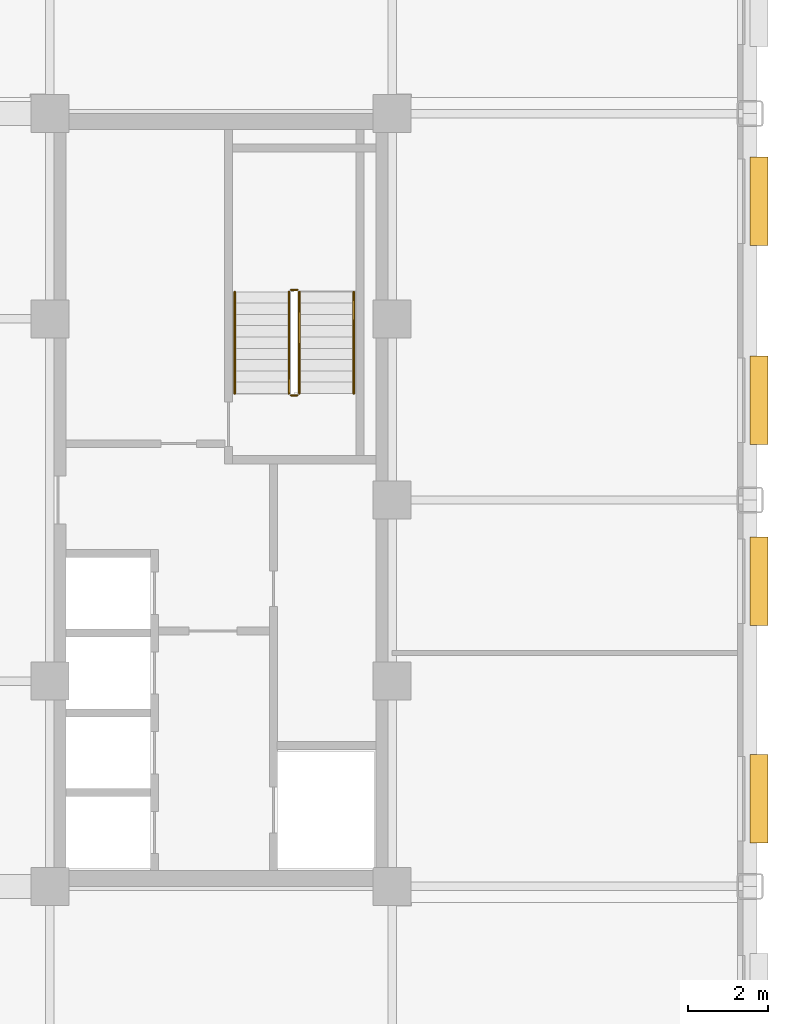
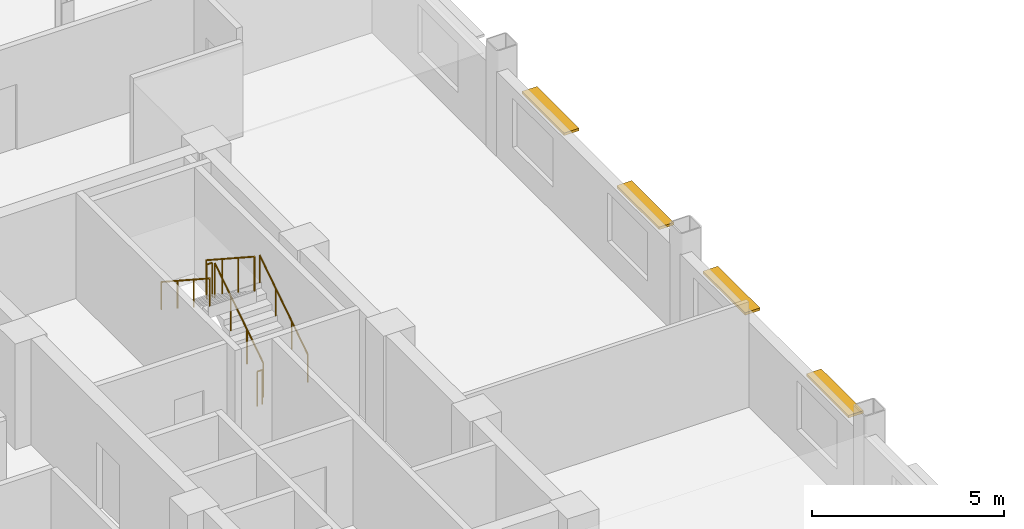
# One storey, part 13 of 14: 6 railings, 4 shading devices.
"""IFC4 building model written with IfcOpenShell, lengths in metres."""

from ifc_helpers import new_model, si_unit, direction, frame, origin, origin_2d, place, context, subcontext, project, spatial, rectangle, circle, extrude, source, transform, mapped, material, type_object, type_shapes, element, save


model = new_model("IFC4")

# Units and contexts
model_context = context("Model", 3, precision=1e-05, world=origin(), true_north=direction((0.0, 1.0)))
body_context = subcontext(model_context, "Body", "Model", "MODEL_VIEW")
ifc_project = project(units=[si_unit("LENGTHUNIT", "METRE"), si_unit("AREAUNIT", "SQUARE_METRE"), si_unit("VOLUMEUNIT", "CUBIC_METRE"), si_unit("PLANEANGLEUNIT", "RADIAN"), si_unit("MASSUNIT", "GRAM", prefix="KILO")], contexts=[model_context])

# Site, building, storey
site_placement = place(None, origin())
site = spatial("IfcSite", under=ifc_project, at=site_placement, CompositionType="ELEMENT")
building_placement = place(site_placement, origin())
building = spatial("IfcBuilding", under=site, at=building_placement, Name="Nuvemarco Arch Tower", CompositionType="ELEMENT")
storey_placement = place(building_placement, frame((0.0, 0.0, 134.800048828125)))
storey = spatial("IfcBuildingStorey", under=building, at=storey_placement, Name="L35", CompositionType="ELEMENT", Elevation=134.800048828125)

# Railings
ifc_material_1 = material(Name="Brushed stainless steel handrail", Category="steel")
railing_type_1 = type_object("IfcRailingType", Name="RL-HANDRAIL-900", PredefinedType="HANDRAIL", material=ifc_material_1)
railing_1_placement = place(storey_placement, frame((16.550048828125, 2.64990234375, 0.182373046875)))
element("IfcRailing", 1, at=railing_1_placement, inside=storey, type_object=railing_type_1, Name="L35 ST-2 stair handrail 1", PredefinedType="HANDRAIL", context=body_context, shape_type="SweptSolid", body=[
    extrude(circle(Radius=0.02392578125, at=origin_2d()), frame((0.0, 0.0, 0.8759765625), z_axis=(0.0, 0.837749427056, 0.546054848405), x_axis=(-1.0, 0.0, 0.0)), (0.0, 0.0, 1.0), 3.008056640625),
    extrude(circle(Radius=0.02099609375, at=origin_2d()), origin(), (0.0, 0.0, 1.0), 0.851806640625),
    extrude(circle(Radius=0.02099609375, at=origin_2d()), frame((0.0, 0.840087890625, 0.547607421875)), (0.0, 0.0, 1.0), 0.851806640625),
    extrude(circle(Radius=0.02099609375, at=origin_2d()), frame((0.0, 1.679931640625, 1.094970703125)), (0.0, 0.0, 1.0), 0.851806640625),
    extrude(circle(Radius=0.02099609375, at=origin_2d()), frame((0.0, 2.52001953125, 1.642578125)), (0.0, 0.0, 1.0), 0.851806640625),
])
railing_2_placement = place(storey_placement, frame((13.590087890625, 5.169921875, 2.007568359375)))
element("IfcRailing", 2, at=railing_2_placement, inside=storey, type_object=railing_type_1, Name="L35 ST-2 stair handrail 2", PredefinedType="HANDRAIL", context=body_context, shape_type="SweptSolid", body=[
    extrude(circle(Radius=0.02392578125, at=origin_2d()), frame((0.0, 0.0, 0.8759765625), z_axis=(0.0, -0.837786554691, 0.545997883492), x_axis=(1.0, 0.0, 0.0)), (0.0, 0.0, 1.0), 3.008056640625),
    extrude(circle(Radius=0.02099609375, at=origin_2d()), origin(), (0.0, 0.0, 1.0), 0.851806640625),
    extrude(circle(Radius=0.02099609375, at=origin_2d()), frame((0.0, -0.840087890625, 0.54736328125)), (0.0, 0.0, 1.0), 0.851806640625),
    extrude(circle(Radius=0.02099609375, at=origin_2d()), frame((0.0, -1.679931640625, 1.094970703125)), (0.0, 0.0, 1.0), 0.851806640625),
    extrude(circle(Radius=0.02099609375, at=origin_2d()), frame((0.0, -2.52001953125, 1.642333984375)), (0.0, 0.0, 1.0), 0.851806640625),
])
ifc_material_2 = material(Name="Painted balustrade steel S355", Category="steel")
railing_type_2 = type_object("IfcRailingType", Name="RL-STAIR-GUARD", PredefinedType="GUARDRAIL", material=ifc_material_2)
railing_3_placement = place(storey_placement, frame((15.199951171875, 2.64990234375, 0.182373046875)))
element("IfcRailing", 3, at=railing_3_placement, inside=storey, type_object=railing_type_2, Name="L35 ST-2 stair guard 1", PredefinedType="GUARDRAIL", context=body_context, shape_type="SweptSolid", body=[
    extrude(circle(Radius=0.02392578125, at=origin_2d()), frame((0.0, 0.0, 1.09619140625), z_axis=(0.0, 0.837749427056, 0.546054848405), x_axis=(-1.0, 0.0, 0.0)), (0.0, 0.0, 1.0), 3.008056640625),
    extrude(circle(Radius=0.02099609375, at=origin_2d()), origin(), (0.0, 0.0, 1.0), 1.072021484375),
    extrude(circle(Radius=0.02099609375, at=origin_2d()), frame((0.0, 0.840087890625, 0.547607421875)), (0.0, 0.0, 1.0), 1.072021484375),
    extrude(circle(Radius=0.02099609375, at=origin_2d()), frame((0.0, 1.679931640625, 1.094970703125)), (0.0, 0.0, 1.0), 1.072021484375),
    extrude(circle(Radius=0.02099609375, at=origin_2d()), frame((0.0, 2.52001953125, 1.642578125)), (0.0, 0.0, 1.0), 1.072021484375),
])
railing_4_placement = place(storey_placement, frame((15.14990234375, 5.219970703125, 1.824951171875)))
element("IfcRailing", 4, at=railing_4_placement, inside=storey, type_object=railing_type_2, Name="L35 ST-2 stair guard 2", PredefinedType="GUARDRAIL", context=body_context, shape_type="SweptSolid", body=[
    extrude(circle(Radius=0.02392578125, at=origin_2d()), frame((0.0, 0.0, 1.09619140625), z_axis=(-1.0, 0.0, 0.0), x_axis=(0.0, -1.0, 0.0)), (0.0, 0.0, 1.0), 0.159912109375),
    extrude(circle(Radius=0.02099609375, at=origin_2d()), origin(), (0.0, 0.0, 1.0), 1.072021484375),
    extrude(circle(Radius=0.02099609375, at=origin_2d()), frame((-0.159912109375, 0.0, 0.0)), (0.0, 0.0, 1.0), 1.072021484375),
])
railing_5_placement = place(storey_placement, frame((14.93994140625, 5.169921875, 2.007568359375)))
element("IfcRailing", 5, at=railing_5_placement, inside=storey, type_object=railing_type_2, Name="L35 ST-2 stair guard 3", PredefinedType="GUARDRAIL", context=body_context, shape_type="SweptSolid", body=[
    extrude(circle(Radius=0.02392578125, at=origin_2d()), frame((0.0, 0.0, 1.09619140625), z_axis=(0.0, -0.837786554691, 0.545997883492), x_axis=(1.0, 0.0, 0.0)), (0.0, 0.0, 1.0), 3.008056640625),
    extrude(circle(Radius=0.02099609375, at=origin_2d()), origin(), (0.0, 0.0, 1.0), 1.072021484375),
    extrude(circle(Radius=0.02099609375, at=origin_2d()), frame((0.0, -0.840087890625, 0.54736328125)), (0.0, 0.0, 1.0), 1.072021484375),
    extrude(circle(Radius=0.02099609375, at=origin_2d()), frame((0.0, -1.679931640625, 1.094970703125)), (0.0, 0.0, 1.0), 1.072021484375),
    extrude(circle(Radius=0.02099609375, at=origin_2d()), frame((0.0, -2.52001953125, 1.642333984375)), (0.0, 0.0, 1.0), 1.072021484375),
])
railing_6_placement = place(storey_placement, frame((15.14990234375, 2.60009765625, 0.0)))
element("IfcRailing", 6, at=railing_6_placement, inside=storey, type_object=railing_type_2, Name="L35 ST-2 stair guard 4", PredefinedType="GUARDRAIL", context=body_context, shape_type="SweptSolid", body=[
    extrude(circle(Radius=0.02392578125, at=origin_2d()), frame((0.0, 0.0, 1.09619140625), z_axis=(-1.0, 0.0, 0.0), x_axis=(0.0, -1.0, 0.0)), (0.0, 0.0, 1.0), 0.159912109375),
    extrude(circle(Radius=0.02099609375, at=origin_2d()), origin(), (0.0, 0.0, 1.0), 1.072021484375),
    extrude(circle(Radius=0.02099609375, at=origin_2d()), frame((-0.159912109375, 0.0, 0.0)), (0.0, 0.0, 1.0), 1.072021484375),
])

# Shading devices
ifc_material_3 = material(Name="Anodised aluminium 6063-T6", Category="aluminium")
shading_device_type = type_object("IfcShadingDeviceType", Name="SHD-BRISE-SOLEIL", PredefinedType="USERDEFINED", material=ifc_material_3)
shared_shape = source(origin(), body_context, "Body", "SweptSolid", [
    extrude(rectangle(XDim=2.199951171875, YDim=0.449951171875, at=origin_2d()), origin(), (0.0, 0.0, 1.0), 0.080078125),
])
type_shapes(shading_device_type, [shared_shape])
for number, where, z_axis, x_axis, name in (
    (7, (26.614990234375, -7.4189453125, 2.364990234375), (0.0, 0.0, 1.0), (0.0, 1.0, 0.0), "L35 horizontal brise-soleil sunshade"),
    (8, (26.614990234375, -2.02294921875, 2.364990234375), (0.0, 0.0, 1.0), (0.0, 1.0, 0.0), "L35 horizontal brise-soleil sunshade"),
    (9, (26.614990234375, 2.472900390625, 2.364990234375), (0.0, 0.0, 1.0), (0.0, 1.0, 0.0), "L35 horizontal brise-soleil sunshade"),
    (10, (26.614990234375, 7.4189453125, 2.364990234375), (0.0, 0.0, 1.0), (0.0, 1.0, 0.0), "L35 horizontal brise-soleil sunshade"),
):
    element("IfcShadingDevice", number, at=place(storey_placement, frame(where, z_axis=z_axis, x_axis=x_axis)), inside=storey, type_object=shading_device_type, Name=name, ObjectType="SUNSHADE", PredefinedType="USERDEFINED", context=body_context, shape_type="MappedRepresentation", body=[
        mapped(shared_shape, transform((0.0, 0.0, 0.0), scale=1.0)),
    ])

save(model, "model.ifc")
